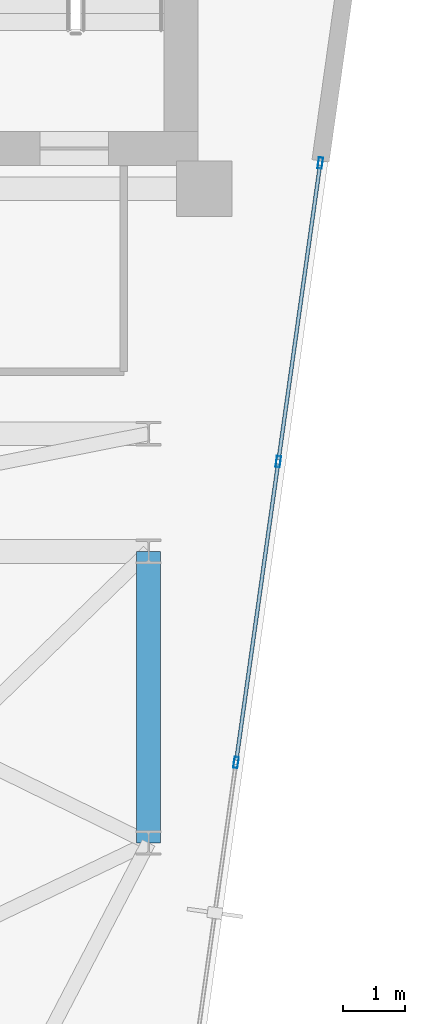
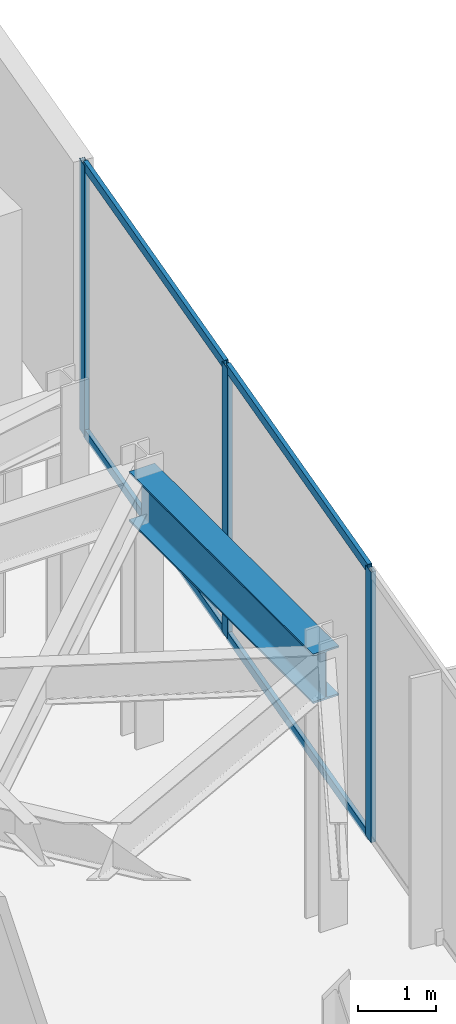
# One storey, part 20 of 25: 7 members, 1 beam, 1 element without a shape of its own.
"""IFC4 building model written with IfcOpenShell, lengths in metres."""

from ifc_helpers import new_model, si_unit, direction, frame, origin, origin_2d, place, context, subcontext, project, spatial, hollow_rectangle, i_section, extrude, material, layer, layer_set, material_profile, profile_set, type_object, element, aggregate, save


model = new_model("IFC4")

# Units and contexts
model_context = context("Model", 3, precision=1e-05, world=origin(), true_north=direction((0.0, 1.0)))
body_context = subcontext(model_context, "Body", "Model", "MODEL_VIEW")
ifc_project = project(units=[si_unit("LENGTHUNIT", "METRE"), si_unit("AREAUNIT", "SQUARE_METRE"), si_unit("VOLUMEUNIT", "CUBIC_METRE"), si_unit("PLANEANGLEUNIT", "RADIAN"), si_unit("MASSUNIT", "GRAM", prefix="KILO")], contexts=[model_context])

# Site, building, storey
site_placement = place(None, origin())
site = spatial("IfcSite", under=ifc_project, at=site_placement, CompositionType="ELEMENT")
building_placement = place(site_placement, origin())
building = spatial("IfcBuilding", under=site, at=building_placement, Name="Kravanh Interchange Tower", CompositionType="ELEMENT")
storey_placement = place(building_placement, frame((0.0, 0.0, 220.5)))
storey = spatial("IfcBuildingStorey", under=building, at=storey_placement, Name="L53", CompositionType="ELEMENT", Elevation=220.5)

# Curtain wall, members
ifc_material_1 = material(Name="Anodised Bronze Aluminium", Category="aluminium")
ifc_layer = layer(ifc_material_1, 0.179931640625)
ifc_layer_set = layer_set([ifc_layer], Name="Unitised Curtain Wall System CW-SKY Sky Observatory")
curtain_wall_type = type_object("IfcCurtainWallType", Name="Unitised Curtain Wall System CW-SKY Sky Observatory", PredefinedType="NOTDEFINED", material=ifc_layer_set)
curtain_wall_placement = place(storey_placement, origin())
curtain_wall = element("IfcCurtainWall", 1, at=curtain_wall_placement, inside=storey, type_object=curtain_wall_type, Name="L53 Unitised Curtain Wall CW-L53-02", PredefinedType="NOTDEFINED")
ifc_material_2 = material(Name="Anodised Bronze Aluminium", Category="aluminium")
ifc_material_profile_1 = material_profile(ifc_material_2, hollow_rectangle(XDim=0.070068359375, YDim=0.179931640625, WallThickness=0.00390625, at=origin_2d()), Name="ALU70X180X4")
ifc_profile_set_1 = profile_set([ifc_material_profile_1], Name="Anodised Bronze Aluminium")
member_type_1 = type_object("IfcMemberType", Name="Curtain Wall Mullion ALU70X180X4 Bronze", PredefinedType="MULLION", material=ifc_profile_set_1)
member_1_placement = place(storey_placement, frame((68.3701171875, 37.765380859375, 0.0), z_axis=(0.0, 0.0, 1.0), x_axis=(0.990268194035, -0.139172209446, 0.0)))
member_1 = element("IfcMember", 2, at=member_1_placement, type_object=member_type_1, Name="CW-SKY mullion 1", PredefinedType="MULLION", context=body_context, shape_type="SweptSolid", body=[
    extrude(hollow_rectangle(XDim=0.070068359375, YDim=0.179931640625, WallThickness=0.00390625, at=origin_2d()), origin(), (0.0, 0.0, 1.0), 4.219970703125),
])
member_2_placement = place(storey_placement, frame((67.693115234375, 32.9482421875, 0.0), z_axis=(0.0, 0.0, 1.0), x_axis=(0.990268194035, -0.139172209446, 0.0)))
member_2 = element("IfcMember", 3, at=member_2_placement, type_object=member_type_1, Name="CW-SKY mullion 2", PredefinedType="MULLION", context=body_context, shape_type="SweptSolid", body=[
    extrude(hollow_rectangle(XDim=0.070068359375, YDim=0.179931640625, WallThickness=0.00390625, at=origin_2d()), origin(), (0.0, 0.0, 1.0), 4.219970703125),
])
member_3_placement = place(storey_placement, frame((67.01123046875, 28.09619140625, 0.0), z_axis=(0.0, 0.0, 1.0), x_axis=(0.990268194035, -0.139172209446, 0.0)))
member_3 = element("IfcMember", 4, at=member_3_placement, type_object=member_type_1, Name="CW-SKY mullion 3", PredefinedType="MULLION", context=body_context, shape_type="SweptSolid", body=[
    extrude(hollow_rectangle(XDim=0.070068359375, YDim=0.179931640625, WallThickness=0.00390625, at=origin_2d()), origin(), (0.0, 0.0, 1.0), 4.219970703125),
])
ifc_material_3 = material(Name="Anodised Bronze Aluminium", Category="aluminium")
ifc_material_profile_2 = material_profile(ifc_material_3, hollow_rectangle(XDim=0.06005859375, YDim=0.139892578125, WallThickness=0.00390625, at=origin_2d()), Name="ALU60X140X4")
ifc_profile_set_2 = profile_set([ifc_material_profile_2], Name="Anodised Bronze Aluminium")
member_type_2 = type_object("IfcMemberType", Name="Curtain Wall Transom ALU60X140X4 Bronze", PredefinedType="USERDEFINED", material=ifc_profile_set_2)
member_4_placement = place(storey_placement, frame((68.365234375, 37.730712890625, 0.030029296875), z_axis=(-0.13916822667, -0.990268753766, 0.0), x_axis=(0.990268753766, -0.13916822667, 0.0)))
member_4 = element("IfcMember", 5, at=member_4_placement, type_object=member_type_2, Name="CW-SKY transom 1.1", ObjectType="TRANSOM", PredefinedType="USERDEFINED", context=body_context, shape_type="SweptSolid", body=[
    extrude(hollow_rectangle(XDim=0.06005859375, YDim=0.139892578125, WallThickness=0.00390625, at=origin_2d()), origin(), (0.0, 0.0, 1.0), 4.79443359375),
])
member_5_placement = place(storey_placement, frame((68.365234375, 37.730712890625, 4.18994140625), z_axis=(-0.13916822667, -0.990268753766, 0.0), x_axis=(0.990268753766, -0.13916822667, 0.0)))
member_5 = element("IfcMember", 6, at=member_5_placement, type_object=member_type_2, Name="CW-SKY transom 1.2", ObjectType="TRANSOM", PredefinedType="USERDEFINED", context=body_context, shape_type="SweptSolid", body=[
    extrude(hollow_rectangle(XDim=0.06005859375, YDim=0.139892578125, WallThickness=0.00390625, at=origin_2d()), origin(), (0.0, 0.0, 1.0), 4.79443359375),
])
member_6_placement = place(storey_placement, frame((67.688232421875, 32.91357421875, 0.030029296875), z_axis=(-0.139163437068, -0.990269426865, 0.0), x_axis=(0.990269426865, -0.139163437068, 0.0)))
member_6 = element("IfcMember", 7, at=member_6_placement, type_object=member_type_2, Name="CW-SKY transom 2.1", ObjectType="TRANSOM", PredefinedType="USERDEFINED", context=body_context, shape_type="SweptSolid", body=[
    extrude(hollow_rectangle(XDim=0.06005859375, YDim=0.139892578125, WallThickness=0.00390625, at=origin_2d()), origin(), (0.0, 0.0, 1.0), 4.82958984375),
])
member_7_placement = place(storey_placement, frame((67.688232421875, 32.91357421875, 4.18994140625), z_axis=(-0.139163437068, -0.990269426865, 0.0), x_axis=(0.990269426865, -0.139163437068, 0.0)))
member_7 = element("IfcMember", 8, at=member_7_placement, type_object=member_type_2, Name="CW-SKY transom 2.2", ObjectType="TRANSOM", PredefinedType="USERDEFINED", context=body_context, shape_type="SweptSolid", body=[
    extrude(hollow_rectangle(XDim=0.06005859375, YDim=0.139892578125, WallThickness=0.00390625, at=origin_2d()), origin(), (0.0, 0.0, 1.0), 4.82958984375),
])
aggregate(curtain_wall, [member_1, member_2, member_3, member_4, member_5, member_6, member_7])

# Beam
ifc_material_4 = material(Name="Structural Steel S355", Category="steel")
ifc_material_profile_3 = material_profile(ifc_material_4, i_section(OverallWidth=0.381103515625, OverallDepth=0.77294921875, WebThickness=0.0166015625, FlangeThickness=0.027099609375, FilletRadius=0.02490234375, at=origin_2d()), Name="W30X173")
ifc_profile_set_3 = profile_set([ifc_material_profile_3], Name="Structural Steel S355")
beam_type = type_object("IfcBeamType", Name="Floor Beam W30X173 Structural Steel S355", PredefinedType="BEAM", material=ifc_profile_set_3)
beam_placement = place(storey_placement, frame((65.60009765625, 26.800048828125, 3.83349609375), z_axis=(0.0, 1.0, 0.0), x_axis=(-1.0, 0.0, 0.0)))
element("IfcBeam", 9, at=beam_placement, inside=storey, type_object=beam_type, Name="L53 Primary Floor Girder 57", PredefinedType="BEAM", context=body_context, shape_type="SweptSolid", body=[
    extrude(i_section(OverallWidth=0.381103515625, OverallDepth=0.77294921875, WebThickness=0.0166015625, FlangeThickness=0.027099609375, FilletRadius=0.02490234375, at=origin_2d()), origin(), (0.0, 0.0, 1.0), 4.699951171875),
])

save(model, "model.ifc")
